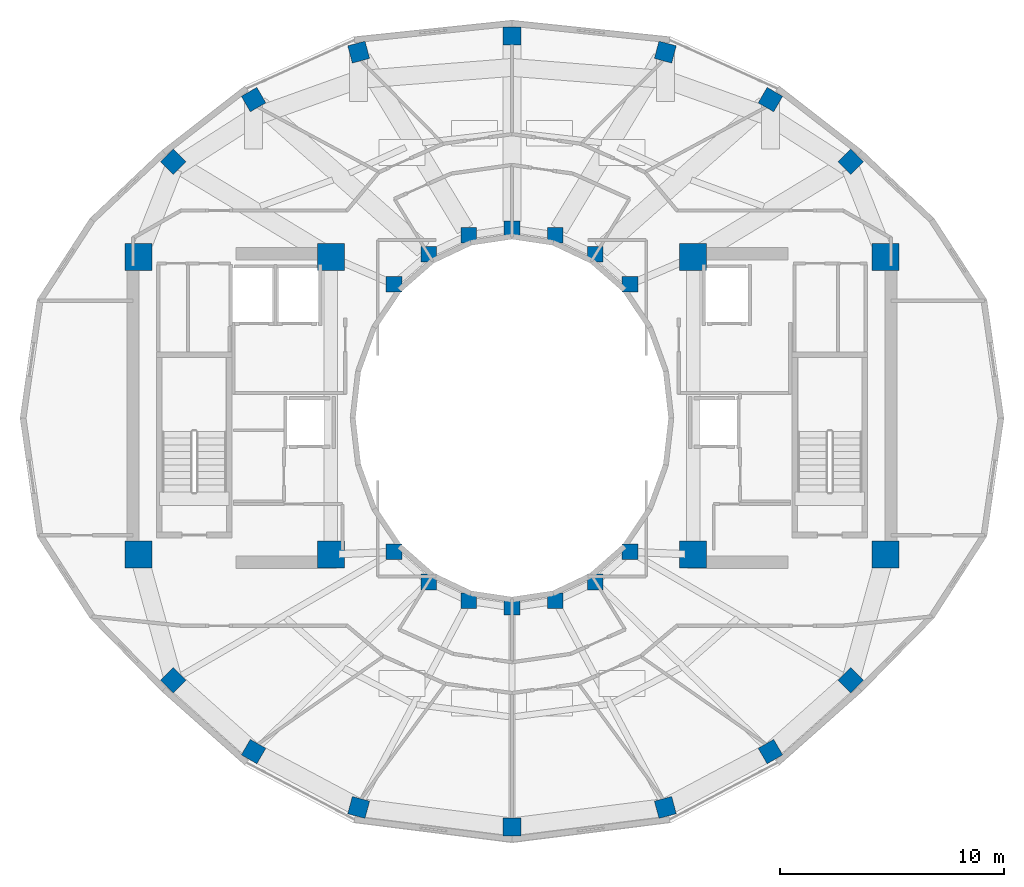
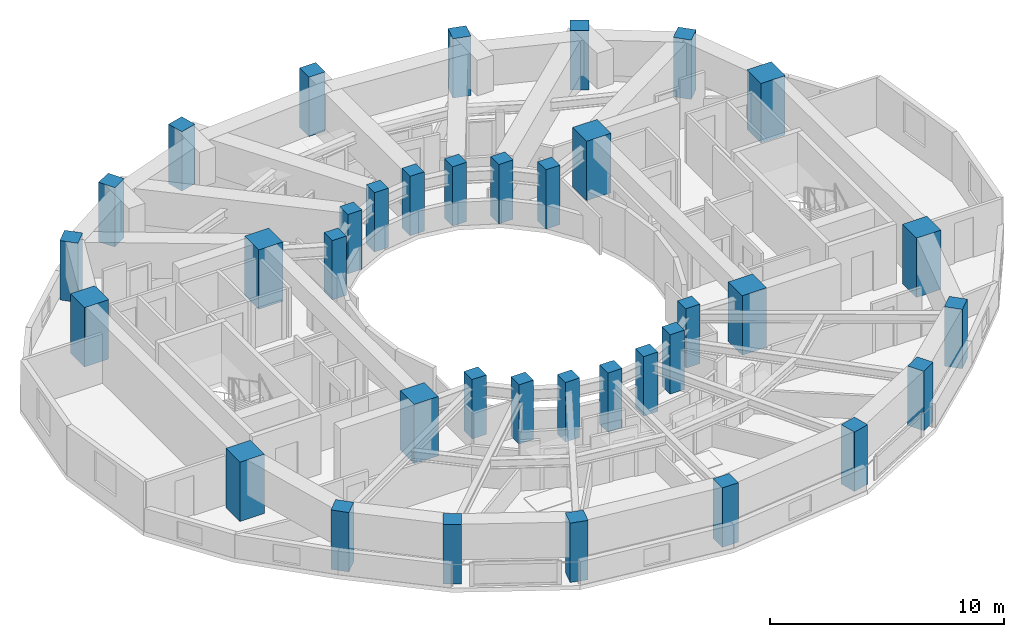
# One storey, part 1 of 17: 36 columns.
"""IFC4 building model written with IfcOpenShell, lengths in metres."""

from ifc_helpers import new_model, si_unit, direction, frame, origin, origin_2d, place, context, subcontext, project, spatial, rectangle, extrude, material, material_profile, profile_set, type_object, element, save


model = new_model("IFC4")

# Units and contexts
model_context = context("Model", 3, precision=1e-05, world=origin(), true_north=direction((0.0, 1.0)))
body_context = subcontext(model_context, "Body", "Model", "MODEL_VIEW")
ifc_project = project(units=[si_unit("LENGTHUNIT", "METRE"), si_unit("AREAUNIT", "SQUARE_METRE"), si_unit("VOLUMEUNIT", "CUBIC_METRE"), si_unit("PLANEANGLEUNIT", "RADIAN"), si_unit("MASSUNIT", "GRAM", prefix="KILO")], contexts=[model_context])

# Site, building, storey
site_placement = place(None, origin())
site = spatial("IfcSite", under=ifc_project, at=site_placement, CompositionType="ELEMENT")
building_placement = place(site_placement, origin())
building = spatial("IfcBuilding", under=site, at=building_placement, Name="Solvane Sanctuary Tower", CompositionType="ELEMENT")
storey_placement = place(building_placement, frame((0.0, 0.0, 235.699951171875)))
storey = spatial("IfcBuildingStorey", under=building, at=storey_placement, Name="L72", CompositionType="ELEMENT", Elevation=235.699951171875)

# Columns
ifc_material_1 = material(Name="Concrete C50/60", Category="concrete")
ifc_material_profile_1 = material_profile(ifc_material_1, rectangle(XDim=0.699951171875, YDim=0.699951171875, at=origin_2d()), Name="RC700X700")
ifc_profile_set_1 = profile_set([ifc_material_profile_1], Name="Concrete C50/60")
column_type_1 = type_object("IfcColumnType", Name="Column C-RING-Z4 RC700X700", PredefinedType="COLUMN", material=ifc_profile_set_1)
for number, where, z_axis, x_axis, name in (
    (1, (37.27490234375, 28.982177734375, 0.0), (0.0, 0.0, 1.0), (1.0, 0.0, 0.0), "L72 Inner Light-Well Ring Column IC01"),
    (2, (35.72998046875, 30.32666015625, 0.0), (0.0, 0.0, 1.0), (1.0, 0.0, 0.0), "L72 Inner Light-Well Ring Column IC02"),
    (3, (33.930908203125, 31.171630859375, 0.0), (0.0, 0.0, 1.0), (1.0, 0.0, 0.0), "L72 Inner Light-Well Ring Column IC03"),
    (4, (32.0, 31.4599609375, 0.0), (0.0, 0.0, 1.0), (1.0, 0.0, 0.0), "L72 Inner Light-Well Ring Column IC04"),
    (5, (30.069091796875, 31.171630859375, 0.0), (0.0, 0.0, 1.0), (1.0, 0.0, 0.0), "L72 Inner Light-Well Ring Column IC05"),
    (6, (28.27001953125, 30.32666015625, 0.0), (0.0, 0.0, 1.0), (1.0, 0.0, 0.0), "L72 Inner Light-Well Ring Column IC06"),
    (7, (26.72509765625, 28.982177734375, 0.0), (0.0, 0.0, 1.0), (1.0, 0.0, 0.0), "L72 Inner Light-Well Ring Column IC07"),
    (8, (26.72509765625, 17.017822265625, 0.0), (0.0, 0.0, 1.0), (1.0, 0.0, 0.0), "L72 Inner Light-Well Ring Column IC08"),
    (9, (28.27001953125, 15.67333984375, 0.0), (0.0, 0.0, 1.0), (1.0, 0.0, 0.0), "L72 Inner Light-Well Ring Column IC09"),
    (10, (30.069091796875, 14.828369140625, 0.0), (0.0, 0.0, 1.0), (1.0, 0.0, 0.0), "L72 Inner Light-Well Ring Column IC10"),
    (11, (32.0, 14.5400390625, 0.0), (0.0, 0.0, 1.0), (1.0, 0.0, 0.0), "L72 Inner Light-Well Ring Column IC11"),
    (12, (33.930908203125, 14.828369140625, 0.0), (0.0, 0.0, 1.0), (1.0, 0.0, 0.0), "L72 Inner Light-Well Ring Column IC12"),
    (13, (35.72998046875, 15.67333984375, 0.0), (0.0, 0.0, 1.0), (1.0, 0.0, 0.0), "L72 Inner Light-Well Ring Column IC13"),
    (14, (37.27490234375, 17.017822265625, 0.0), (0.0, 0.0, 1.0), (1.0, 0.0, 0.0), "L72 Inner Light-Well Ring Column IC14"),
):
    element("IfcColumn", number, at=place(storey_placement, frame(where, z_axis=z_axis, x_axis=x_axis)), inside=storey, type_object=column_type_1, Name=name, PredefinedType="COLUMN", context=body_context, shape_type="SweptSolid", body=[
        extrude(rectangle(XDim=0.699951171875, YDim=0.699951171875, at=origin_2d()), origin(), (0.0, 0.0, 1.0), 3.10009765625),
    ])
ifc_material_2 = material(Name="Concrete C70/85", Category="concrete")
ifc_material_profile_2 = material_profile(ifc_material_2, rectangle(XDim=1.199951171875, YDim=1.199951171875, at=origin_2d()), Name="RC1200X1200")
ifc_profile_set_2 = profile_set([ifc_material_profile_2], Name="Concrete C70/85")
column_type_2 = type_object("IfcColumnType", Name="Column C-TUBE-Z1 RC1200X1200", PredefinedType="COLUMN", material=ifc_profile_set_2)
for number, where, z_axis, x_axis, name in (
    (15, (15.300048828125, 16.89990234375, 0.0), (0.0, 0.0, 1.0), (1.0, 0.0, 0.0), "L72 Core Corner Column CW1"),
    (16, (23.89990234375, 16.89990234375, 0.0), (0.0, 0.0, 1.0), (1.0, 0.0, 0.0), "L72 Core Corner Column CW2"),
    (17, (23.89990234375, 30.199951171875, 0.0), (0.0, 0.0, 1.0), (1.0, 0.0, 0.0), "L72 Core Corner Column CW3"),
    (18, (15.300048828125, 30.199951171875, 0.0), (0.0, 0.0, 1.0), (1.0, 0.0, 0.0), "L72 Core Corner Column CW4"),
    (19, (40.10009765625, 16.89990234375, 0.0), (0.0, 0.0, 1.0), (1.0, 0.0, 0.0), "L72 Core Corner Column CE1"),
    (20, (48.699951171875, 16.89990234375, 0.0), (0.0, 0.0, 1.0), (1.0, 0.0, 0.0), "L72 Core Corner Column CE2"),
    (21, (48.699951171875, 30.199951171875, 0.0), (0.0, 0.0, 1.0), (1.0, 0.0, 0.0), "L72 Core Corner Column CE3"),
    (22, (40.10009765625, 30.199951171875, 0.0), (0.0, 0.0, 1.0), (1.0, 0.0, 0.0), "L72 Core Corner Column CE4"),
):
    element("IfcColumn", number, at=place(storey_placement, frame(where, z_axis=z_axis, x_axis=x_axis)), inside=storey, type_object=column_type_2, Name=name, PredefinedType="COLUMN", context=body_context, shape_type="SweptSolid", body=[
        extrude(rectangle(XDim=1.199951171875, YDim=1.199951171875, at=origin_2d()), origin(), (0.0, 0.0, 1.0), 3.10009765625),
    ])
ifc_material_profile_3 = material_profile(ifc_material_1, rectangle(XDim=0.800048828125, YDim=0.800048828125, at=origin_2d()), Name="RC800X800")
ifc_profile_set_3 = profile_set([ifc_material_profile_3], Name="Concrete C50/60")
column_type_3 = type_object("IfcColumnType", Name="Column C-TUBE-Z4 RC800X800", PredefinedType="COLUMN", material=ifc_profile_set_3)
for number, where, z_axis, x_axis, name in (
    (23, (47.14501953125, 34.461669921875, 0.0), (0.0, 0.0, 1.0), (0.707106781187, 0.707106781187, 0.0), "L72 Perimeter Tube Column TC01"),
    (24, (43.55517578125, 37.241455078125, 0.0), (0.0, 0.0, 1.0), (0.5, 0.866025403784, 0.0), "L72 Perimeter Tube Column TC02"),
    (25, (38.856201171875, 39.3623046875, 0.0), (0.0, 0.0, 1.0), (0.258819045103, 0.965925826289, 0.0), "L72 Perimeter Tube Column TC03"),
    (26, (32.0, 40.080078125, 0.0), (0.0, 0.0, 1.0), (0.0, 1.0, 0.0), "L72 Perimeter Tube Column TC04"),
    (27, (25.143798828125, 39.3623046875, 0.0), (0.0, 0.0, 1.0), (-0.258819045103, 0.965925826289, 0.0), "L72 Perimeter Tube Column TC05"),
    (28, (20.44482421875, 37.241455078125, 0.0), (0.0, 0.0, 1.0), (-0.5, 0.866025403784, 0.0), "L72 Perimeter Tube Column TC06"),
    (29, (16.85498046875, 34.461669921875, 0.0), (0.0, 0.0, 1.0), (-0.707106781187, 0.707106781187, 0.0), "L72 Perimeter Tube Column TC07"),
    (30, (16.85498046875, 11.279052734375, 0.0), (0.0, 0.0, 1.0), (-0.707106781187, -0.707106781187, 0.0), "L72 Perimeter Tube Column TC08"),
    (31, (20.44482421875, 8.086181640625, 0.0), (0.0, 0.0, 1.0), (-0.5, -0.866025403784, 0.0), "L72 Perimeter Tube Column TC09"),
    (32, (25.143798828125, 5.588623046875, 0.0), (0.0, 0.0, 1.0), (-0.258819045103, -0.965925826289, 0.0), "L72 Perimeter Tube Column TC10"),
    (33, (32.0, 4.719970703125, 0.0), (0.0, 0.0, 1.0), (0.0, -1.0, 0.0), "L72 Perimeter Tube Column TC11"),
    (34, (38.856201171875, 5.588623046875, 0.0), (0.0, 0.0, 1.0), (0.258819045103, -0.965925826289, 0.0), "L72 Perimeter Tube Column TC12"),
    (35, (43.55517578125, 8.086181640625, 0.0), (0.0, 0.0, 1.0), (0.5, -0.866025403784, 0.0), "L72 Perimeter Tube Column TC13"),
    (36, (47.14501953125, 11.279052734375, 0.0), (0.0, 0.0, 1.0), (0.707106781187, -0.707106781187, 0.0), "L72 Perimeter Tube Column TC14"),
):
    element("IfcColumn", number, at=place(storey_placement, frame(where, z_axis=z_axis, x_axis=x_axis)), inside=storey, type_object=column_type_3, Name=name, PredefinedType="COLUMN", context=body_context, shape_type="SweptSolid", body=[
        extrude(rectangle(XDim=0.800048828125, YDim=0.800048828125, at=origin_2d()), origin(), (0.0, 0.0, 1.0), 3.10009765625),
    ])

save(model, "model.ifc")
